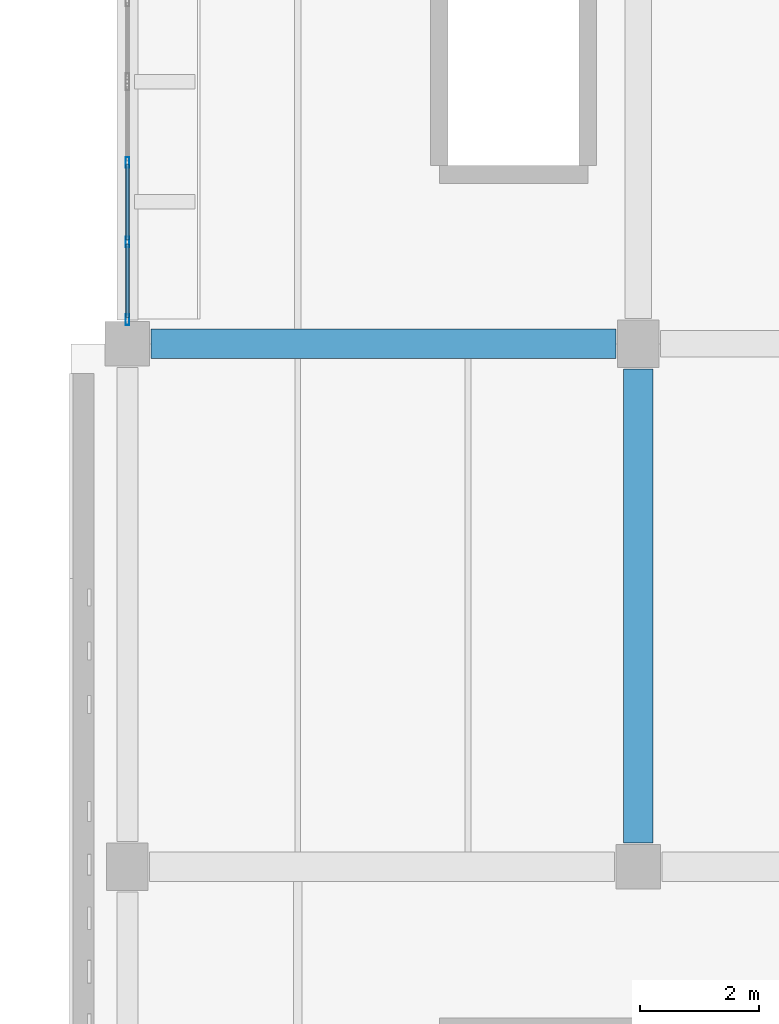
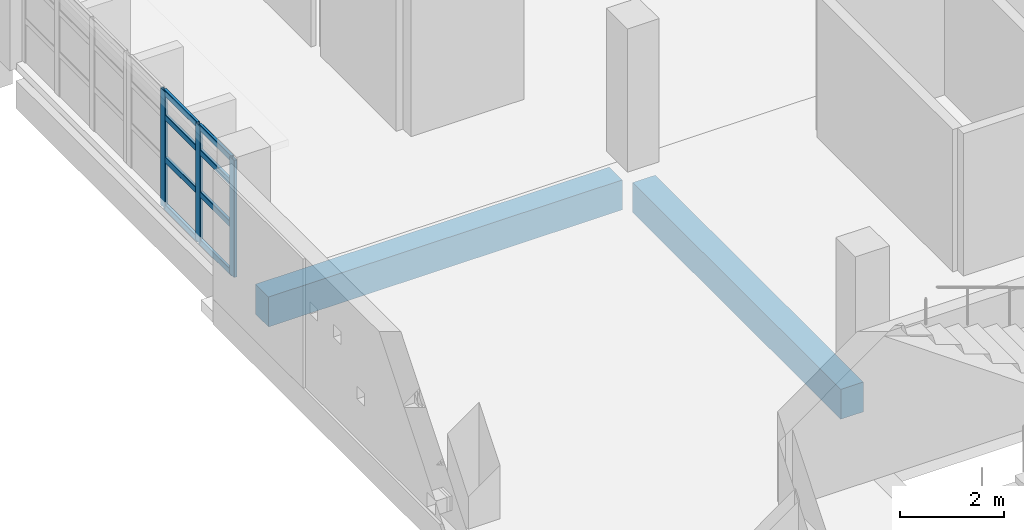
# One storey, part 10 of 93: 11 members, 2 beams, 1 element without a shape of its own.
"""IFC4 building model written with IfcOpenShell, lengths in metres."""

import ifcopenshell
import ifcopenshell.guid

model = None  # the IFC model being written
_history = None  # IfcOwnerHistory: only IFC2X3 demands one
_inside = {}  # id of a spatial element -> (the spatial element, [elements in it])
_under = {}  # id of a project, library or spatial element -> (it, [spatial elements below it])
_declared = {}  # id of a project -> (the project, [libraries it declares])
_typed = {}  # id of a type object -> (the type object, [elements of that type])
_made_of = {}  # id of a material, layer set ... -> (it, [elements and type objects made of it])


def new_model(schema):
    """Start an empty IFC model of exactly this schema.

    Asked for "IFC4X3", IfcOpenShell would pick the latest addendum, in which some entities
    have other attributes; the version numbers below select the first issue.
    IFC2X3 requires an IfcOwnerHistory on every rooted entity: one is made here for all.
    """
    global model, _history
    if schema == "IFC4X3":
        model = ifcopenshell.file(schema_version=(4, 3, 0, 0))
    else:
        model = ifcopenshell.file(schema=schema)
    _inside.clear()
    _under.clear()
    _declared.clear()
    _typed.clear()
    _made_of.clear()
    _history = None
    if model.schema == "IFC2X3":
        org = make("IfcOrganization", Name="unknown")
        user = make(
            "IfcPersonAndOrganization",
            ThePerson=make("IfcPerson", FamilyName="unknown"),
            TheOrganization=org,
        )
        app = make(
            "IfcApplication",
            ApplicationDeveloper=org,
            Version="unknown",
            ApplicationFullName="unknown",
            ApplicationIdentifier="unknown",
        )
        _history = make(
            "IfcOwnerHistory",
            OwningUser=user,
            OwningApplication=app,
            ChangeAction="ADDED",
            CreationDate=0,
        )
    return model


def make(cls, **values):
    """One entity of the class cls with the attributes given. An attribute that is None is left unset."""
    return model.create_entity(
        cls, **{name: value for name, value in values.items() if value is not None}
    )


def rooted(cls, **values):
    """An entity with a GlobalId (a new one), such as an element, a storey or a relation."""
    return make(cls, GlobalId=ifcopenshell.guid.new(), OwnerHistory=_history, **values)


def si_unit(unit_type, name, prefix=None):
    """IfcSIUnit, for example si_unit("LENGTHUNIT", "METRE", prefix="MILLI")."""
    return make("IfcSIUnit", UnitType=unit_type, Prefix=prefix, Name=name)


def assignment(units):
    """IfcUnitAssignment: the units of a project."""
    return None if units is None else make("IfcUnitAssignment", Units=units)


def point(xyz):
    """IfcCartesianPoint."""
    return None if xyz is None else make("IfcCartesianPoint", Coordinates=xyz)


def direction(xyz):
    """IfcDirection."""
    return None if xyz is None else make("IfcDirection", DirectionRatios=xyz)


def frame(location, z_axis=None, x_axis=None):
    """IfcAxis2Placement3D, a coordinate frame: its origin and axes. An axis left out is left unset."""
    return make(
        "IfcAxis2Placement3D",
        Location=point(location),
        Axis=direction(z_axis),
        RefDirection=direction(x_axis),
    )


def frame_2d(location, x_axis=None):
    """IfcAxis2Placement2D, a coordinate frame in the plane: its origin and x axis."""
    return make(
        "IfcAxis2Placement2D", Location=point(location), RefDirection=direction(x_axis)
    )


def origin():
    """The frame at (0, 0, 0) with its axes left unset."""
    return frame((0.0, 0.0, 0.0))


def origin_2d():
    """The frame at (0, 0) in the plane with its x axis left unset."""
    return frame_2d((0.0, 0.0))


def place(relative_to, where):
    """IfcLocalPlacement: puts the frame where relative to a parent placement (None: the world)."""
    return make(
        "IfcLocalPlacement", PlacementRelTo=relative_to, RelativePlacement=where
    )


def context(
    kind, dimensions, precision=None, world=None, true_north=None, identifier=None
):
    """IfcGeometricRepresentationContext, for example the 3D "Model" context."""
    return make(
        "IfcGeometricRepresentationContext",
        ContextIdentifier=identifier,
        ContextType=kind,
        CoordinateSpaceDimension=dimensions,
        Precision=precision,
        WorldCoordinateSystem=world,
        TrueNorth=true_north,
    )


def subcontext(parent, identifier, kind, view, scale=None):
    """IfcGeometricRepresentationSubContext, for example "Body" below "Model"."""
    return make(
        "IfcGeometricRepresentationSubContext",
        ContextIdentifier=identifier,
        ContextType=kind,
        ParentContext=parent,
        TargetScale=scale,
        TargetView=view,
    )


def project(units=None, contexts=None):
    """IfcProject with its units and contexts."""
    return rooted(
        "IfcProject",
        Name="project",
        RepresentationContexts=contexts,
        UnitsInContext=assignment(units),
    )


def spatial(cls, under=None, at=None, **own):
    """A site, building, storey or space (cls), placed at a placement, below another one or the project."""
    s = rooted(cls, ObjectPlacement=at, **own)
    if under is not None:
        _under.setdefault(under.id(), (under, []))[1].append(s)
    return s


def profile(cls, at=None, kind="AREA", **sizes):
    """A parametric profile (cls). Its sizes go by their IFC names, for example OverallWidth=200.0."""
    return make(cls, ProfileType=kind, Position=at, **sizes)


def rectangle(**sizes):
    """IfcRectangleProfileDef."""
    return profile("IfcRectangleProfileDef", **sizes)


def hollow_rectangle(**sizes):
    """IfcRectangleHollowProfileDef."""
    return profile("IfcRectangleHollowProfileDef", **sizes)


def extrude(swept, where, along, depth):
    """IfcExtrudedAreaSolid: the profile swept, set in the frame where, extruded along a direction by depth."""
    return make(
        "IfcExtrudedAreaSolid",
        SweptArea=swept,
        Position=where,
        ExtrudedDirection=direction(along),
        Depth=depth,
    )


def shape(context_of_items, identifier, shape_type, items):
    """IfcShapeRepresentation: the items that make up one representation, for example the "Body"."""
    return make(
        "IfcShapeRepresentation",
        ContextOfItems=context_of_items,
        RepresentationIdentifier=identifier,
        RepresentationType=shape_type,
        Items=items,
    )


def material(Name=None, Category=None):
    """IfcMaterial."""
    return make("IfcMaterial", Name=Name, Category=Category)


def material_profile(
    of_material, cross_section, Name=None, Category=None, Priority=None
):
    """IfcMaterialProfile: a cross section and its material."""
    return make(
        "IfcMaterialProfile",
        Name=Name,
        Material=of_material,
        Profile=cross_section,
        Priority=Priority,
        Category=Category,
    )


def profile_set(profiles, Name=None, composite=None):
    """IfcMaterialProfileSet."""
    return make(
        "IfcMaterialProfileSet",
        Name=Name,
        MaterialProfiles=profiles,
        CompositeProfile=composite,
    )


def made_of(thing, what):
    """Note that an element or type object is made of a material, layer set ...; save() writes the relation."""
    if what is not None:
        _made_of.setdefault(what.id(), (what, []))[1].append(thing)
    return thing


def type_object(cls, material=None, **own):
    """A type object (cls), such as IfcWallType, which elements share."""
    return made_of(rooted(cls, **own), material)


def element(
    cls,
    number,
    at=None,
    inside=None,
    cuts=None,
    type_object=None,
    material=None,
    context=None,
    identifier="Body",
    shape_type=None,
    held_by="IfcProductDefinitionShape",
    body=None,
    shapes=None,
    **own,
):
    """One element of the class cls, such as IfcWall. Its Tag is "e" and its number.

    at: its placement. inside: the storey or other place that contains it. cuts: it is an
    opening in that element (IfcRelVoidsElement). A single representation is given by context,
    identifier, shape_type and body (its items); several are given by shapes. held_by: the class
    of the entity that holds the representations. save() writes the other relations.
    """
    e = rooted(cls, Tag="e%d" % number, ObjectPlacement=at, **own)
    if body is not None:
        shapes = [shape(context, identifier, shape_type, body)]
    if shapes is not None:
        e.Representation = make(held_by, Representations=shapes)
    if inside is not None:
        _inside.setdefault(inside.id(), (inside, []))[1].append(e)
    if cuts is not None:
        rooted(
            "IfcRelVoidsElement", RelatingBuildingElement=cuts, RelatedOpeningElement=e
        )
    if type_object is not None:
        _typed.setdefault(type_object.id(), (type_object, []))[1].append(e)
    return made_of(e, material)


def aggregate(whole, parts):
    """IfcRelAggregates: a whole, such as a stair, and the parts it consists of."""
    return rooted("IfcRelAggregates", RelatingObject=whole, RelatedObjects=parts)


def save(model, path):
    """Write the relations noted so far, then the file.

    IfcRelAggregates (storeys below a building ...), IfcRelContainedInSpatialStructure (elements
    in a storey), IfcRelDefinesByType, IfcRelAssociatesMaterial and IfcRelDeclares: one each for
    every whole, place, type object, material and project.
    """
    for whole, parts in _under.values():
        aggregate(whole, parts)
    for where, things in _inside.values():
        rooted(
            "IfcRelContainedInSpatialStructure",
            RelatedElements=things,
            RelatingStructure=where,
        )
    for kind, things in _typed.values():
        rooted("IfcRelDefinesByType", RelatedObjects=things, RelatingType=kind)
    for what, things in _made_of.values():
        rooted("IfcRelAssociatesMaterial", RelatedObjects=things, RelatingMaterial=what)
    for by, libraries in _declared.values():
        rooted("IfcRelDeclares", RelatingContext=by, RelatedDefinitions=libraries)
    model.write(path)


model = new_model("IFC4")

# Units and contexts
model_context = context("Model", 3, precision=1e-05, world=origin(), true_north=direction((0.0, 1.0)))
body_context = subcontext(model_context, "Body", "Model", "MODEL_VIEW")
ifc_project = project(units=[si_unit("LENGTHUNIT", "METRE"), si_unit("AREAUNIT", "SQUARE_METRE"), si_unit("VOLUMEUNIT", "CUBIC_METRE"), si_unit("PLANEANGLEUNIT", "RADIAN"), si_unit("MASSUNIT", "GRAM", prefix="KILO")], contexts=[model_context])

# Site, building, storey
site_placement = place(None, origin())
site = spatial("IfcSite", under=ifc_project, at=site_placement, CompositionType="ELEMENT")
building_placement = place(site_placement, origin())
building = spatial("IfcBuilding", under=site, at=building_placement, Name="Varnakota Cinema and Media Centre", CompositionType="ELEMENT")
storey_placement = place(building_placement, frame((0.0, 0.0, 12.0)))
storey = spatial("IfcBuildingStorey", under=building, at=storey_placement, Name="L03", CompositionType="ELEMENT", Elevation=12.0)

# Beams
ifc_material_1 = material(Name="Concrete M35", Category="concrete")
ifc_material_profile_1 = material_profile(ifc_material_1, rectangle(XDim=0.5, YDim=0.699951171875, at=origin_2d()), Name="RCB 500x700")
ifc_profile_set_1 = profile_set([ifc_material_profile_1], Name="Concrete M35")
beam_type = type_object("IfcBeamType", Name="BM-RC-500x700", PredefinedType="BEAM", material=ifc_profile_set_1)
beam_1_placement = place(storey_placement, frame((0.39990234375, 35.199951171875, -0.610107421875), z_axis=(1.0, 0.0, 0.0), x_axis=(0.0, 1.0, 0.0)))
element("IfcBeam", 1, at=beam_1_placement, inside=storey, type_object=beam_type, Name="L03 girder A-B/5", PredefinedType="BEAM", context=body_context, shape_type="SweptSolid", body=[
    extrude(rectangle(XDim=0.5, YDim=0.699951171875, at=origin_2d()), origin(), (0.0, 0.0, 1.0), 7.8251953125),
])
beam_2_placement = place(storey_placement, frame((8.60009765625, 26.800048828125, -0.610107421875), z_axis=(0.0, 1.0, 0.0), x_axis=(-1.0, 0.0, 0.0)))
element("IfcBeam", 2, at=beam_2_placement, inside=storey, type_object=beam_type, Name="L03 girder B/4-5", PredefinedType="BEAM", context=body_context, shape_type="SweptSolid", body=[
    extrude(rectangle(XDim=0.5, YDim=0.699951171875, at=origin_2d()), origin(), (0.0, 0.0, 1.0), 7.974853515625),
])

# Curtain wall, members
ifc_material_2 = material(Name="Thermally broken anodised aluminium AW-6063", Category="aluminium")
curtain_wall_type = type_object("IfcCurtainWallType", Name="CW-STD-402x274", PredefinedType="USERDEFINED", material=ifc_material_2)
curtain_wall_placement = place(storey_placement, origin())
curtain_wall = element("IfcCurtainWall", 3, at=curtain_wall_placement, inside=storey, type_object=curtain_wall_type, Name="L03 curtain wall CW-L03-V5-W-05-2", ObjectType="UNITISED CURTAIN WALL", PredefinedType="USERDEFINED")
ifc_material_3 = material(Name="Thermally broken anodised aluminium AW-6063", Category="aluminium")
ifc_material_profile_2 = material_profile(ifc_material_3, hollow_rectangle(XDim=0.06494140625, YDim=0.179931640625, WallThickness=0.00390625, InnerFilletRadius=0.00390625, OuterFilletRadius=0.008056640625, at=origin_2d()), Name="AL-MULLION 180x65x4")
ifc_profile_set_2 = profile_set([ifc_material_profile_2], Name="Thermally broken anodised aluminium AW-6063")
member_type_1 = type_object("IfcMemberType", Name="CWM-AL-180", PredefinedType="MULLION", material=ifc_profile_set_2)
member_1_placement = place(storey_placement, frame((0.0, 38.25341796875, 0.0), z_axis=(0.0, 0.0, 1.0), x_axis=(1.0, 0.0, 0.0)))
member_1 = element("IfcMember", 4, at=member_1_placement, type_object=member_type_1, Name="CW47 mullion 2", PredefinedType="MULLION", context=body_context, shape_type="SweptSolid", body=[
    extrude(hollow_rectangle(XDim=0.06494140625, YDim=0.179931640625, WallThickness=0.00390625, InnerFilletRadius=0.00390625, OuterFilletRadius=0.008056640625, at=origin_2d()), origin(), (0.0, 0.0, 1.0), 2.735107421875),
])
member_2_placement = place(storey_placement, frame((0.0, 36.9140625, 0.0), z_axis=(0.0, 0.0, 1.0), x_axis=(1.0, 0.0, 0.0)))
member_2 = element("IfcMember", 5, at=member_2_placement, type_object=member_type_1, Name="CW47 mullion 3", PredefinedType="MULLION", context=body_context, shape_type="SweptSolid", body=[
    extrude(hollow_rectangle(XDim=0.06494140625, YDim=0.179931640625, WallThickness=0.00390625, InnerFilletRadius=0.00390625, OuterFilletRadius=0.008056640625, at=origin_2d()), origin(), (0.0, 0.0, 1.0), 2.735107421875),
])
member_3_placement = place(storey_placement, frame((0.0, 35.607421875, 0.0), z_axis=(0.0, 0.0, 1.0), x_axis=(1.0, 0.0, 0.0)))
member_3 = element("IfcMember", 6, at=member_3_placement, type_object=member_type_1, Name="CW47 mullion 4", PredefinedType="MULLION", context=body_context, shape_type="SweptSolid", body=[
    extrude(hollow_rectangle(XDim=0.06494140625, YDim=0.179931640625, WallThickness=0.00390625, InnerFilletRadius=0.00390625, OuterFilletRadius=0.008056640625, at=origin_2d()), origin(), (0.0, 0.0, 1.0), 2.735107421875),
])
ifc_material_4 = material(Name="Thermally broken anodised aluminium AW-6063", Category="aluminium")
ifc_material_profile_3 = material_profile(ifc_material_4, hollow_rectangle(XDim=0.06494140625, YDim=0.139892578125, WallThickness=0.00390625, InnerFilletRadius=0.00390625, OuterFilletRadius=0.008056640625, at=origin_2d()), Name="AL-TRANSOM 140x65x4")
ifc_profile_set_3 = profile_set([ifc_material_profile_3], Name="Thermally broken anodised aluminium AW-6063")
member_type_2 = type_object("IfcMemberType", Name="CWT-AL-140", PredefinedType="USERDEFINED", material=ifc_profile_set_3)
member_4_placement = place(storey_placement, frame((0.0, 38.220947265625, 0.032470703125), z_axis=(0.0, -1.0, 0.0), x_axis=(1.0, 0.0, 0.0)))
member_4 = element("IfcMember", 7, at=member_4_placement, type_object=member_type_2, Name="CW47 transom 2.1", ObjectType="TRANSOM", PredefinedType="USERDEFINED", context=body_context, shape_type="SweptSolid", body=[
    extrude(hollow_rectangle(XDim=0.06494140625, YDim=0.139892578125, WallThickness=0.00390625, InnerFilletRadius=0.00390625, OuterFilletRadius=0.008056640625, at=origin_2d()), origin(), (0.0, 0.0, 1.0), 1.274169921875),
])
member_5_placement = place(storey_placement, frame((0.0, 38.220947265625, 1.148681640625), z_axis=(0.0, -1.0, 0.0), x_axis=(1.0, 0.0, 0.0)))
member_5 = element("IfcMember", 8, at=member_5_placement, type_object=member_type_2, Name="CW47 transom 2.2", ObjectType="TRANSOM", PredefinedType="USERDEFINED", context=body_context, shape_type="SweptSolid", body=[
    extrude(hollow_rectangle(XDim=0.06494140625, YDim=0.139892578125, WallThickness=0.00390625, InnerFilletRadius=0.00390625, OuterFilletRadius=0.008056640625, at=origin_2d()), origin(), (0.0, 0.0, 1.0), 1.274169921875),
])
member_6_placement = place(storey_placement, frame((0.0, 38.220947265625, 2.13330078125), z_axis=(0.0, -1.0, 0.0), x_axis=(1.0, 0.0, 0.0)))
member_6 = element("IfcMember", 9, at=member_6_placement, type_object=member_type_2, Name="CW47 transom 2.3", ObjectType="TRANSOM", PredefinedType="USERDEFINED", context=body_context, shape_type="SweptSolid", body=[
    extrude(hollow_rectangle(XDim=0.06494140625, YDim=0.139892578125, WallThickness=0.00390625, InnerFilletRadius=0.00390625, OuterFilletRadius=0.008056640625, at=origin_2d()), origin(), (0.0, 0.0, 1.0), 1.274169921875),
])
member_7_placement = place(storey_placement, frame((0.0, 38.220947265625, 2.702392578125), z_axis=(0.0, -1.0, 0.0), x_axis=(1.0, 0.0, 0.0)))
member_7 = element("IfcMember", 10, at=member_7_placement, type_object=member_type_2, Name="CW47 transom 2.4", ObjectType="TRANSOM", PredefinedType="USERDEFINED", context=body_context, shape_type="SweptSolid", body=[
    extrude(hollow_rectangle(XDim=0.06494140625, YDim=0.139892578125, WallThickness=0.00390625, InnerFilletRadius=0.00390625, OuterFilletRadius=0.008056640625, at=origin_2d()), origin(), (0.0, 0.0, 1.0), 1.274169921875),
])
member_8_placement = place(storey_placement, frame((0.0, 36.881591796875, 0.032470703125), z_axis=(0.0, -1.0, 0.0), x_axis=(1.0, 0.0, 0.0)))
member_8 = element("IfcMember", 11, at=member_8_placement, type_object=member_type_2, Name="CW47 transom 3.1", ObjectType="TRANSOM", PredefinedType="USERDEFINED", context=body_context, shape_type="SweptSolid", body=[
    extrude(hollow_rectangle(XDim=0.06494140625, YDim=0.139892578125, WallThickness=0.00390625, InnerFilletRadius=0.00390625, OuterFilletRadius=0.008056640625, at=origin_2d()), origin(), (0.0, 0.0, 1.0), 1.24169921875),
])
member_9_placement = place(storey_placement, frame((0.0, 36.881591796875, 1.148681640625), z_axis=(0.0, -1.0, 0.0), x_axis=(1.0, 0.0, 0.0)))
member_9 = element("IfcMember", 12, at=member_9_placement, type_object=member_type_2, Name="CW47 transom 3.2", ObjectType="TRANSOM", PredefinedType="USERDEFINED", context=body_context, shape_type="SweptSolid", body=[
    extrude(hollow_rectangle(XDim=0.06494140625, YDim=0.139892578125, WallThickness=0.00390625, InnerFilletRadius=0.00390625, OuterFilletRadius=0.008056640625, at=origin_2d()), origin(), (0.0, 0.0, 1.0), 1.24169921875),
])
member_10_placement = place(storey_placement, frame((0.0, 36.881591796875, 2.13330078125), z_axis=(0.0, -1.0, 0.0), x_axis=(1.0, 0.0, 0.0)))
member_10 = element("IfcMember", 13, at=member_10_placement, type_object=member_type_2, Name="CW47 transom 3.3", ObjectType="TRANSOM", PredefinedType="USERDEFINED", context=body_context, shape_type="SweptSolid", body=[
    extrude(hollow_rectangle(XDim=0.06494140625, YDim=0.139892578125, WallThickness=0.00390625, InnerFilletRadius=0.00390625, OuterFilletRadius=0.008056640625, at=origin_2d()), origin(), (0.0, 0.0, 1.0), 1.24169921875),
])
member_11_placement = place(storey_placement, frame((0.0, 36.881591796875, 2.702392578125), z_axis=(0.0, -1.0, 0.0), x_axis=(1.0, 0.0, 0.0)))
member_11 = element("IfcMember", 14, at=member_11_placement, type_object=member_type_2, Name="CW47 transom 3.4", ObjectType="TRANSOM", PredefinedType="USERDEFINED", context=body_context, shape_type="SweptSolid", body=[
    extrude(hollow_rectangle(XDim=0.06494140625, YDim=0.139892578125, WallThickness=0.00390625, InnerFilletRadius=0.00390625, OuterFilletRadius=0.008056640625, at=origin_2d()), origin(), (0.0, 0.0, 1.0), 1.24169921875),
])
aggregate(curtain_wall, [member_1, member_2, member_3, member_4, member_5, member_6, member_7, member_8, member_9, member_10, member_11])

save(model, "model.ifc")
